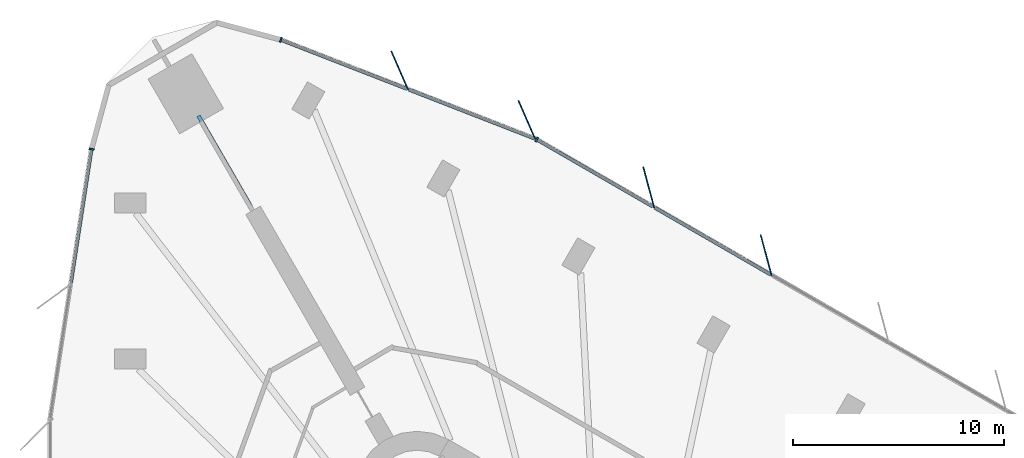
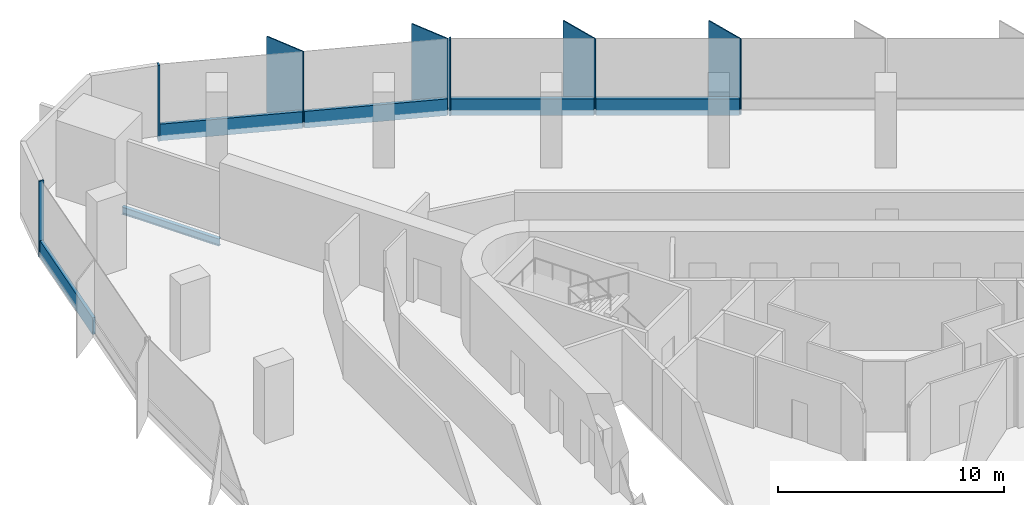
# One storey, part 7 of 15: 12 members, 1 beam, 3 elements without a shape of their own.
"""IFC4 building model written with IfcOpenShell, lengths in metres."""

from ifc_helpers import new_model, si_unit, direction, frame, origin, origin_2d, place, context, subcontext, project, spatial, rectangle, i_section, extrude, material, material_profile, profile_set, type_object, element, aggregate, save


model = new_model("IFC4")

# Units and contexts
model_context = context("Model", 3, precision=1e-05, world=origin(), true_north=direction((0.0, 1.0)))
body_context = subcontext(model_context, "Body", "Model", "MODEL_VIEW")
ifc_project = project(units=[si_unit("LENGTHUNIT", "METRE"), si_unit("AREAUNIT", "SQUARE_METRE"), si_unit("VOLUMEUNIT", "CUBIC_METRE"), si_unit("PLANEANGLEUNIT", "RADIAN"), si_unit("MASSUNIT", "GRAM", prefix="KILO")], contexts=[model_context])

# Site, building, storey
site_placement = place(None, origin())
site = spatial("IfcSite", under=ifc_project, at=site_placement, CompositionType="ELEMENT")
building_placement = place(site_placement, origin())
building = spatial("IfcBuilding", under=site, at=building_placement, Name="Tanit Gate Tower", CompositionType="ELEMENT")
storey_placement = place(building_placement, frame((0.0, 0.0, 131.60009765625)))
storey = spatial("IfcBuildingStorey", under=building, at=storey_placement, Name="L28", CompositionType="ELEMENT", Elevation=131.60009765625)

# Curtain wall, members
ifc_material_1 = material(Name="Aluminium bronze anodised and glass", Category="aluminium")
curtain_wall_type = type_object("IfcCurtainWallType", Name="Curtain wall typical low", PredefinedType="NOTDEFINED", material=ifc_material_1)
curtain_wall_1_placement = place(storey_placement, origin())
curtain_wall_1 = element("IfcCurtainWall", 1, at=curtain_wall_1_placement, inside=storey, type_object=curtain_wall_type, Name="Curtain wall L28 NE2", PredefinedType="NOTDEFINED")
ifc_material_2 = material(Name="Aluminium bronze anodised", Category="aluminium")
ifc_material_profile_1 = material_profile(ifc_material_2, rectangle(XDim=2.0, YDim=0.055908203125, at=origin_2d()), Name="56x2000 bronze fin mullion")
ifc_profile_set_1 = profile_set([ifc_material_profile_1], Name="Aluminium bronze anodised")
member_type_1 = type_object("IfcMemberType", Name="FIN MULLION 56x2000 bronze", PredefinedType="MULLION", material=ifc_profile_set_1)
member_1_placement = place(storey_placement, frame((7.435791015625, 27.10546875, -0.300048828125), z_axis=(0.0, 0.0, 1.0), x_axis=(0.25875206837, -0.965943770162, 0.0)))
member_1 = element("IfcMember", 2, at=member_1_placement, type_object=member_type_1, Name="Fin mullion L28 NE2.5", PredefinedType="MULLION", context=body_context, shape_type="SweptSolid", body=[
    extrude(rectangle(XDim=2.0, YDim=0.055908203125, at=origin_2d()), origin(), (0.0, 0.0, 1.0), 4.099853515625),
])
member_2_placement = place(storey_placement, frame((1.874267578125, 30.317138671875, -0.300048828125), z_axis=(0.0, 0.0, 1.0), x_axis=(0.25875206837, -0.965943770162, 0.0)))
member_2 = element("IfcMember", 3, at=member_2_placement, type_object=member_type_1, Name="Fin mullion L28 NE2.6", PredefinedType="MULLION", context=body_context, shape_type="SweptSolid", body=[
    extrude(rectangle(XDim=2.0, YDim=0.055908203125, at=origin_2d()), origin(), (0.0, 0.0, 1.0), 4.099853515625),
])

curtain_wall_2_placement = place(storey_placement, origin())
curtain_wall_2 = element("IfcCurtainWall", 4, at=curtain_wall_2_placement, inside=storey, type_object=curtain_wall_type, Name="Curtain wall L28 NE3", PredefinedType="NOTDEFINED")
member_3_placement = place(storey_placement, frame((-3.89990234375, 33.513671875, -0.300048828125), z_axis=(0.0, 0.0, 1.0), x_axis=(0.402639503753, -0.915358634644, 0.0)))
member_3 = element("IfcMember", 5, at=member_3_placement, type_object=member_type_1, Name="Fin mullion L28 NE3.1", PredefinedType="MULLION", context=body_context, shape_type="SweptSolid", body=[
    extrude(rectangle(XDim=2.0, YDim=0.055908203125, at=origin_2d()), origin(), (0.0, 0.0, 1.0), 4.099853515625),
])
member_4_placement = place(storey_placement, frame((-9.92626953125, 35.85791015625, -0.300048828125), z_axis=(0.0, 0.0, 1.0), x_axis=(0.402639503753, -0.915358634644, 0.0)))
member_4 = element("IfcMember", 6, at=member_4_placement, type_object=member_type_1, Name="Fin mullion L28 NE3.2", PredefinedType="MULLION", context=body_context, shape_type="SweptSolid", body=[
    extrude(rectangle(XDim=2.0, YDim=0.055908203125, at=origin_2d()), origin(), (0.0, 0.0, 1.0), 4.099853515625),
])

# Member
ifc_material_3 = material(Name="Aluminium bronze anodised", Category="aluminium")
ifc_material_profile_2 = material_profile(ifc_material_3, rectangle(XDim=0.239990234375, YDim=0.080078125, at=origin_2d()), Name="80x240 bronze mullion")
ifc_profile_set_2 = profile_set([ifc_material_profile_2], Name="Aluminium bronze anodised")
member_type_2 = type_object("IfcMemberType", Name="Mullion 80x240 typical low", PredefinedType="MULLION", material=ifc_profile_set_2)
member_5_placement = place(storey_placement, frame((-3.434326171875, 32.58447265625, -0.300048828125), z_axis=(0.0, 0.0, 1.0), x_axis=(-0.500060047936, -0.865990732317, 0.0)))
member_5 = element("IfcMember", 7, at=member_5_placement, type_object=member_type_2, Name="Mullion L28 NE2.7", PredefinedType="MULLION", context=body_context, shape_type="SweptSolid", body=[
    extrude(rectangle(XDim=0.239990234375, YDim=0.080078125, at=origin_2d()), origin(), (0.0, 0.0, 1.0), 4.099853515625),
])

member_6_placement = place(storey_placement, frame((-15.55908203125, 37.3076171875, -0.300048828125), z_axis=(0.0, 0.0, 1.0), x_axis=(-0.362547174298, -0.931965421252, 0.0)))
member_6 = element("IfcMember", 8, at=member_6_placement, type_object=member_type_2, Name="Mullion L28 NE3.3", PredefinedType="MULLION", context=body_context, shape_type="SweptSolid", body=[
    extrude(rectangle(XDim=0.239990234375, YDim=0.080078125, at=origin_2d()), origin(), (0.0, 0.0, 1.0), 4.099853515625),
])

# Curtain wall, member
curtain_wall_3_placement = place(storey_placement, origin())
curtain_wall_3 = element("IfcCurtainWall", 9, at=curtain_wall_3_placement, inside=storey, type_object=curtain_wall_type, Name="Curtain wall L28 W1", PredefinedType="NOTDEFINED")
member_7_placement = place(storey_placement, frame((-24.52978515625, 32.12841796875, -0.300048828125), z_axis=(0.0, 0.0, 1.0), x_axis=(0.988410187402, -0.151806789832, 0.0)))
member_7 = element("IfcMember", 10, at=member_7_placement, type_object=member_type_2, Name="Mullion L28 W1.1", PredefinedType="MULLION", context=body_context, shape_type="SweptSolid", body=[
    extrude(rectangle(XDim=0.239990234375, YDim=0.080078125, at=origin_2d()), origin(), (0.0, 0.0, 1.0), 4.099853515625),
])

# Beam
ifc_material_4 = material(Name="Steel S355", Category="steel")
ifc_material_profile_3 = material_profile(ifc_material_4, i_section(OverallWidth=0.179931640625, OverallDepth=0.39990234375, WebThickness=0.008544921875, FlangeThickness=0.013427734375, FilletRadius=0.02099609375, at=origin_2d()), Name="IPE 400")
ifc_profile_set_3 = profile_set([ifc_material_profile_3], Name="Steel S355")
beam_type = type_object("IfcBeamType", Name="RADIAL GIRDER IPE 400 S355", PredefinedType="BEAM", material=ifc_profile_set_3)
beam_placement = place(storey_placement, frame((-19.462646484375, 33.71044921875, -0.5), z_axis=(0.499969421594, -0.866043057515, 0.0), x_axis=(0.866043057515, 0.499969421594, 0.0)))
element("IfcBeam", 11, at=beam_placement, inside=storey, type_object=beam_type, Name="RADIAL GIRDER", PredefinedType="BEAM", context=body_context, shape_type="SweptSolid", body=[
    extrude(i_section(OverallWidth=0.179931640625, OverallDepth=0.39990234375, WebThickness=0.008544921875, FlangeThickness=0.013427734375, FilletRadius=0.02099609375, at=origin_2d()), origin(), (0.0, 0.0, 1.0), 4.963134765625),
])

# Member
ifc_material_5 = material(Name="Aluminium bronze anodised", Category="aluminium")
ifc_material_profile_4 = material_profile(ifc_material_5, rectangle(XDim=0.159912109375, YDim=0.89990234375, at=origin_2d()), Name="160x900 bronze transom")
ifc_profile_set_4 = profile_set([ifc_material_profile_4], Name="Aluminium bronze anodised")
member_type_3 = type_object("IfcMemberType", Name="Transom 160x900 typical low", PredefinedType="USERDEFINED", material=ifc_profile_set_4)
member_8_placement = place(storey_placement, frame((7.654052734375, 26.181396484375, 0.14990234375), z_axis=(-0.865976587993, 0.500084541901, 0.0), x_axis=(-0.500084541901, -0.865976587993, 0.0)))
member_8 = element("IfcMember", 12, at=member_8_placement, type_object=member_type_3, Name="Transom L28 NE2.5", ObjectType="TRANSOM", PredefinedType="USERDEFINED", context=body_context, shape_type="SweptSolid", body=[
    extrude(rectangle(XDim=0.159912109375, YDim=0.89990234375, at=origin_2d()), origin(), (0.0, 0.0, 1.0), 6.34228515625),
])

member_9_placement = place(storey_placement, frame((2.092529296875, 29.39306640625, 0.14990234375), z_axis=(-0.866002883922, 0.500039003518, 0.0), x_axis=(-0.500039003518, -0.866002883922, 0.0)))
member_9 = element("IfcMember", 13, at=member_9_placement, type_object=member_type_3, Name="Transom L28 NE2.6", ObjectType="TRANSOM", PredefinedType="USERDEFINED", context=body_context, shape_type="SweptSolid", body=[
    extrude(rectangle(XDim=0.159912109375, YDim=0.89990234375, at=origin_2d()), origin(), (0.0, 0.0, 1.0), 6.34228515625),
])

aggregate(curtain_wall_1, [member_1, member_2, member_5, member_8, member_9])

member_10_placement = place(storey_placement, frame((-3.543701171875, 32.633544921875, 0.14990234375), z_axis=(-0.931975253966, 0.362521897262, 0.0), x_axis=(-0.362521897262, -0.931975253966, 0.0)))
member_10 = element("IfcMember", 14, at=member_10_placement, type_object=member_type_3, Name="Transom L28 NE3.1", ObjectType="TRANSOM", PredefinedType="USERDEFINED", context=body_context, shape_type="SweptSolid", body=[
    extrude(rectangle(XDim=0.159912109375, YDim=0.89990234375, at=origin_2d()), origin(), (0.0, 0.0, 1.0), 6.38623046875),
])

member_11_placement = place(storey_placement, frame((-9.570068359375, 34.977783203125, 0.14990234375), z_axis=(-0.931962337581, 0.362555101096, 0.0), x_axis=(-0.362555101096, -0.931962337581, 0.0)))
member_11 = element("IfcMember", 15, at=member_11_placement, type_object=member_type_3, Name="Transom L28 NE3.2", ObjectType="TRANSOM", PredefinedType="USERDEFINED", context=body_context, shape_type="SweptSolid", body=[
    extrude(rectangle(XDim=0.159912109375, YDim=0.89990234375, at=origin_2d()), origin(), (0.0, 0.0, 1.0), 6.386474609375),
])

aggregate(curtain_wall_2, [member_3, member_4, member_6, member_10, member_11])

member_12_placement = place(storey_placement, frame((-24.535888671875, 32.0888671875, 0.14990234375), z_axis=(-0.151812991103, -0.988409234949, 0.0), x_axis=(0.988409234949, -0.151812991103, 0.0)))
member_12 = element("IfcMember", 16, at=member_12_placement, type_object=member_type_3, Name="Transom L28 W1.1", ObjectType="TRANSOM", PredefinedType="USERDEFINED", context=body_context, shape_type="SweptSolid", body=[
    extrude(rectangle(XDim=0.159912109375, YDim=0.89990234375, at=origin_2d()), origin(), (0.0, 0.0, 1.0), 6.385986328125),
])

aggregate(curtain_wall_3, [member_7, member_12])

save(model, "model.ifc")
